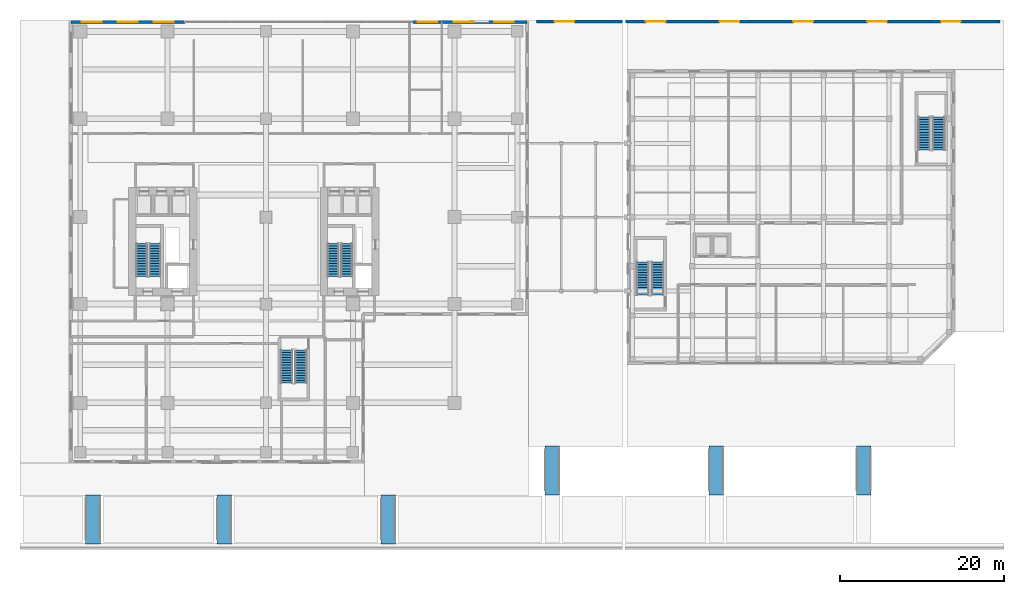
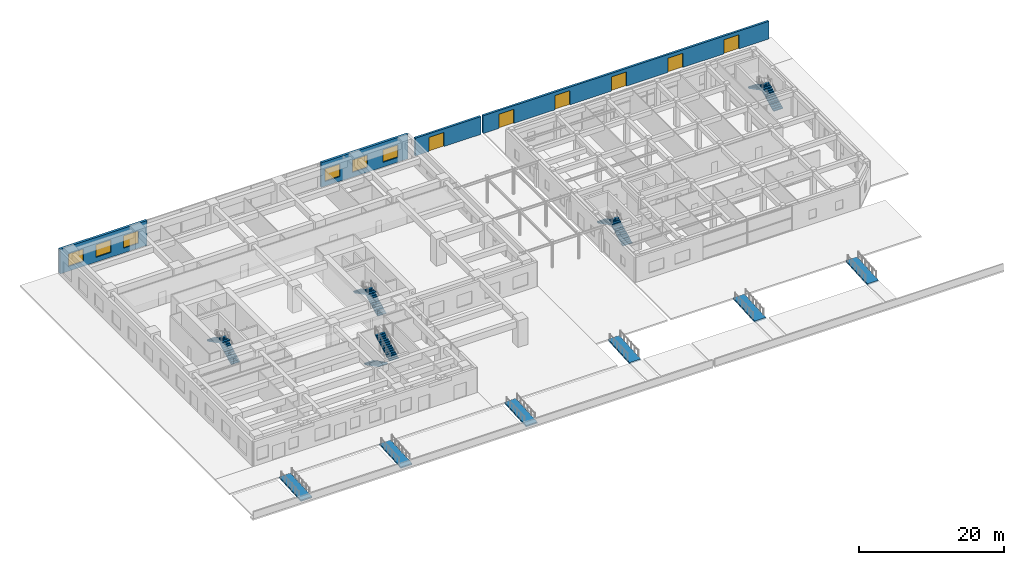
# One storey, part 29 of 39: 10 stair flights, 6 doors, 6 ramp flights, 6 windows, 4 walls, 12 openings, 11 elements without a shape of their own.
"""IFC4 building model written with IfcOpenShell, lengths in metres."""

from ifc_helpers import new_model, si_unit, direction, frame, frame_2d, origin, place, context, subcontext, project, spatial, polyline, rectangle, outline, extrude, source, transform, mapped, material, layer, layer_set, type_object, element, fill, aggregate, save


model = new_model("IFC4")

# Units and contexts
model_context = context("Model", 3, precision=1e-05, world=origin(), true_north=direction((0.0, 1.0)))
body_context = subcontext(model_context, "Body", "Model", "MODEL_VIEW")
ifc_project = project(units=[si_unit("LENGTHUNIT", "METRE"), si_unit("AREAUNIT", "SQUARE_METRE"), si_unit("VOLUMEUNIT", "CUBIC_METRE"), si_unit("PLANEANGLEUNIT", "RADIAN"), si_unit("MASSUNIT", "GRAM", prefix="KILO")], contexts=[model_context])

# Site, building, storey
site_placement = place(None, origin())
site = spatial("IfcSite", under=ifc_project, at=site_placement, CompositionType="ELEMENT")
building_placement = place(site_placement, origin())
building = spatial("IfcBuilding", under=site, at=building_placement, Name="Khoralis Quay Care Tower", CompositionType="ELEMENT")
storey_placement = place(building_placement, origin())
storey = spatial("IfcBuildingStorey", under=building, at=storey_placement, Name="L00", CompositionType="ELEMENT", Elevation=0.0)

# Wall, openings, windows
ifc_material_1 = material(Name="Precast concrete C45/55", Category="concrete")
ifc_layer_1 = layer(ifc_material_1, 0.3798828125)
ifc_layer_set_1 = layer_set([ifc_layer_1], Name="Precast concrete C45/55")
wall_type_1 = type_object("IfcWallType", Name="WL-EXT-POD-380", PredefinedType="SOLIDWALL", material=ifc_layer_set_1)
wall_1_placement = place(storey_placement, frame((55.81005859375, 47.81005859375, 0.0), z_axis=(0.0, 0.0, 1.0), x_axis=(-1.0, 0.0, 0.0)))
wall_1 = element("IfcWall", 1, at=wall_1_placement, inside=storey, type_object=wall_type_1, Name="L00 External Facade Wall WL-POD-L00-E4A", PredefinedType="SOLIDWALL", context=body_context, shape_type="SweptSolid", body=[
    extrude(rectangle(XDim=13.905029296875, YDim=0.3798828125, at=frame_2d((6.95263671875, 0.0))), origin(), (0.0, 0.0, 1.0), 4.159912109375),
])
opening_1_placement = place(wall_1_placement, frame((1.6025390625, 0.0, 0.800048828125)))
opening_1 = element("IfcOpeningElement", 2, at=opening_1_placement, cuts=wall_1, Name="Opening W1", PredefinedType="OPENING", context=body_context, shape_type="SweptSolid", body=[
    extrude(rectangle(XDim=2.39990234375, YDim=2.10009765625, at=frame_2d((1.199951171875, 1.050048828125))), frame((0.0, 0.199951171875, 0.0), z_axis=(0.0, -1.0, 0.0), x_axis=(1.0, 0.0, 0.0)), (0.0, 0.0, 1.0), 0.39990234375),
])
opening_2_placement = place(wall_1_placement, frame((6.487548828125, 0.0, 0.800048828125)))
opening_2 = element("IfcOpeningElement", 3, at=opening_2_placement, cuts=wall_1, Name="Opening W1", PredefinedType="OPENING", context=body_context, shape_type="SweptSolid", body=[
    extrude(rectangle(XDim=2.39990234375, YDim=2.10009765625, at=frame_2d((1.199951171875, 1.050048828125))), frame((0.0, 0.199951171875, 0.0), z_axis=(0.0, -1.0, 0.0), x_axis=(1.0, 0.0, 0.0)), (0.0, 0.0, 1.0), 0.39990234375),
])
opening_3_placement = place(wall_1_placement, frame((10.8974609375, 0.0, 0.800048828125)))
opening_3 = element("IfcOpeningElement", 4, at=opening_3_placement, cuts=wall_1, Name="Opening W1", PredefinedType="OPENING", context=body_context, shape_type="SweptSolid", body=[
    extrude(rectangle(XDim=2.39990234375, YDim=2.10009765625, at=frame_2d((1.199951171875, 1.050048828125))), frame((0.0, 0.199951171875, 0.0), z_axis=(0.0, -1.0, 0.0), x_axis=(1.0, 0.0, 0.0)), (0.0, 0.0, 1.0), 0.39990234375),
])
ifc_material_2 = material(Name="Low-E solar-control double glazing", Category="glass")
window_type = type_object("IfcWindowType", Name="WN-POD-2400X2100", PartitioningType="SINGLE_PANEL", PredefinedType="WINDOW", material=ifc_material_2)
shared_shape_1 = source(origin(), body_context, "Body", "SweptSolid", [
    extrude(rectangle(XDim=2.39990234375, YDim=2.10009765625, at=frame_2d((1.199951171875, 1.050048828125))), frame((0.0, 0.030029296875, 0.0), z_axis=(0.0, -1.0, 0.0), x_axis=(1.0, 0.0, 0.0)), (0.0, 0.0, 1.0), 0.06005859375),
])
window_1_placement = place(opening_1_placement, origin())
window_1 = element("IfcWindow", 5, at=window_1_placement, inside=storey, type_object=window_type, Name="WN-POD-L00-4A Facade Window 01", OverallHeight=2.10009765625, OverallWidth=2.39990234375, PartitioningType="SINGLE_PANEL", PredefinedType="WINDOW", context=body_context, shape_type="MappedRepresentation", body=[
    mapped(shared_shape_1, transform((0.0, 0.0, 0.0), scale=1.0)),
])
fill(opening_1, window_1)
window_2_placement = place(opening_2_placement, origin())
window_2 = element("IfcWindow", 6, at=window_2_placement, inside=storey, type_object=window_type, Name="WN-POD-L00-4A Facade Window 02", OverallHeight=2.10009765625, OverallWidth=2.39990234375, PartitioningType="SINGLE_PANEL", PredefinedType="WINDOW", context=body_context, shape_type="MappedRepresentation", body=[
    mapped(shared_shape_1, transform((0.0, 0.0, 0.0), scale=1.0)),
])
fill(opening_2, window_2)
window_3_placement = place(opening_3_placement, origin())
window_3 = element("IfcWindow", 7, at=window_3_placement, inside=storey, type_object=window_type, Name="WN-POD-L00-4A Facade Window 03", OverallHeight=2.10009765625, OverallWidth=2.39990234375, PartitioningType="SINGLE_PANEL", PredefinedType="WINDOW", context=body_context, shape_type="MappedRepresentation", body=[
    mapped(shared_shape_1, transform((0.0, 0.0, 0.0), scale=1.0)),
])
fill(opening_3, window_3)

wall_2_placement = place(storey_placement, frame((14.094970703125, 47.81005859375, 0.0), z_axis=(0.0, 0.0, 1.0), x_axis=(-1.0, 0.0, 0.0)))
wall_2 = element("IfcWall", 8, at=wall_2_placement, inside=storey, type_object=wall_type_1, Name="L00 External Facade Wall WL-POD-L00-E4B", PredefinedType="SOLIDWALL", context=body_context, shape_type="SweptSolid", body=[
    extrude(rectangle(XDim=13.905029296875, YDim=0.3798828125, at=frame_2d((6.95263671875, 0.0))), origin(), (0.0, 0.0, 1.0), 4.159912109375),
])
opening_4_placement = place(wall_2_placement, frame((1.357421875, 0.0, 0.800048828125)))
opening_4 = element("IfcOpeningElement", 9, at=opening_4_placement, cuts=wall_2, Name="Opening W1", PredefinedType="OPENING", context=body_context, shape_type="SweptSolid", body=[
    extrude(rectangle(XDim=2.39990234375, YDim=2.10009765625, at=frame_2d((1.199951171875, 1.050048828125))), frame((0.0, 0.199951171875, 0.0), z_axis=(0.0, -1.0, 0.0), x_axis=(1.0, 0.0, 0.0)), (0.0, 0.0, 1.0), 0.39990234375),
])
opening_5_placement = place(wall_2_placement, frame((5.75244140625, 0.0, 0.800048828125)))
opening_5 = element("IfcOpeningElement", 10, at=opening_5_placement, cuts=wall_2, Name="Opening W1", PredefinedType="OPENING", context=body_context, shape_type="SweptSolid", body=[
    extrude(rectangle(XDim=2.39990234375, YDim=2.10009765625, at=frame_2d((1.199951171875, 1.050048828125))), frame((0.0, 0.199951171875, 0.0), z_axis=(0.0, -1.0, 0.0), x_axis=(1.0, 0.0, 0.0)), (0.0, 0.0, 1.0), 0.39990234375),
])
opening_6_placement = place(wall_2_placement, frame((10.1474609375, 0.0, 0.800048828125)))
opening_6 = element("IfcOpeningElement", 11, at=opening_6_placement, cuts=wall_2, Name="Opening W1", PredefinedType="OPENING", context=body_context, shape_type="SweptSolid", body=[
    extrude(rectangle(XDim=2.39990234375, YDim=2.10009765625, at=frame_2d((1.199951171875, 1.050048828125))), frame((0.0, 0.199951171875, 0.0), z_axis=(0.0, -1.0, 0.0), x_axis=(1.0, 0.0, 0.0)), (0.0, 0.0, 1.0), 0.39990234375),
])
window_4_placement = place(opening_4_placement, origin())
window_4 = element("IfcWindow", 12, at=window_4_placement, inside=storey, type_object=window_type, Name="WN-POD-L00-4B Facade Window 01", OverallHeight=2.10009765625, OverallWidth=2.39990234375, PartitioningType="SINGLE_PANEL", PredefinedType="WINDOW", context=body_context, shape_type="MappedRepresentation", body=[
    mapped(shared_shape_1, transform((0.0, 0.0, 0.0), scale=1.0)),
])
fill(opening_4, window_4)
window_5_placement = place(opening_5_placement, origin())
window_5 = element("IfcWindow", 13, at=window_5_placement, inside=storey, type_object=window_type, Name="WN-POD-L00-4B Facade Window 02", OverallHeight=2.10009765625, OverallWidth=2.39990234375, PartitioningType="SINGLE_PANEL", PredefinedType="WINDOW", context=body_context, shape_type="MappedRepresentation", body=[
    mapped(shared_shape_1, transform((0.0, 0.0, 0.0), scale=1.0)),
])
fill(opening_5, window_5)
window_6_placement = place(opening_6_placement, origin())
window_6 = element("IfcWindow", 14, at=window_6_placement, inside=storey, type_object=window_type, Name="WN-POD-L00-4B Facade Window 03", OverallHeight=2.10009765625, OverallWidth=2.39990234375, PartitioningType="SINGLE_PANEL", PredefinedType="WINDOW", context=body_context, shape_type="MappedRepresentation", body=[
    mapped(shared_shape_1, transform((0.0, 0.0, 0.0), scale=1.0)),
])
fill(opening_6, window_6)

# Wall, opening, door
ifc_material_3 = material(Name="Precast concrete C40/50", Category="concrete")
ifc_layer_2 = layer(ifc_material_3, 0.340087890625)
ifc_layer_set_2 = layer_set([ifc_layer_2], Name="Precast concrete C40/50")
wall_type_2 = type_object("IfcWallType", Name="WL-EXT-SCH-340", PredefinedType="SOLIDWALL", material=ifc_layer_set_2)
wall_3_placement = place(storey_placement, frame((57.0, 47.85009765625, 0.0), z_axis=(0.0, 0.0, 1.0), x_axis=(1.0, 0.0, 0.0)))
wall_3 = element("IfcWall", 15, at=wall_3_placement, inside=storey, type_object=wall_type_2, Name="L00 External Facade Wall WL-QUAY-COURT-NW", PredefinedType="SOLIDWALL", context=body_context, shape_type="SweptSolid", body=[
    extrude(rectangle(XDim=10.47509765625, YDim=0.340087890625, at=frame_2d((5.237548828125, 0.0))), origin(), (0.0, 0.0, 1.0), 3.0),
])
opening_7_placement = place(wall_3_placement, frame((2.199951171875, 0.0, 0.0)))
opening_7 = element("IfcOpeningElement", 16, at=opening_7_placement, cuts=wall_3, Name="Opening GT1", PredefinedType="OPENING", context=body_context, shape_type="SweptSolid", body=[
    extrude(rectangle(XDim=2.39990234375, YDim=2.39990234375, at=frame_2d((1.199951171875, 1.199951171875))), frame((0.0, 0.18017578125, 0.0), z_axis=(0.0, -1.0, 0.0), x_axis=(1.0, 0.0, 0.0)), (0.0, 0.0, 1.0), 0.360107421875),
])
ifc_material_4 = material(Name="Brushed pale anodised aluminium", Category="aluminium")
door_type = type_object("IfcDoorType", Name="DR-GATE-2400X2400", OperationType="NOTDEFINED", PredefinedType="GATE", material=ifc_material_4)
shared_shape_2 = source(origin(), body_context, "Body", "SweptSolid", [
    extrude(rectangle(XDim=2.39990234375, YDim=2.39990234375, at=frame_2d((1.199951171875, 1.199951171875))), frame((0.0, 0.02490234375, 0.0), z_axis=(0.0, -1.0, 0.0), x_axis=(1.0, 0.0, 0.0)), (0.0, 0.0, 1.0), 0.050048828125),
])
door_1_placement = place(opening_7_placement, origin())
door_1 = element("IfcDoor", 17, at=door_1_placement, inside=storey, type_object=door_type, Name="Academy & Quay Courtyard Gate 1", OperationType="DOUBLE_DOOR_SINGLE_SWING", OverallHeight=2.39990234375, OverallWidth=2.39990234375, PredefinedType="GATE", context=body_context, shape_type="MappedRepresentation", body=[
    mapped(shared_shape_2, transform((0.0, 0.0, 0.0), scale=1.0)),
])
fill(opening_7, door_1)

# Wall, openings, doors
wall_4_placement = place(storey_placement, frame((67.824951171875, 47.85009765625, 0.0), z_axis=(0.0, 0.0, 1.0), x_axis=(1.0, 0.0, 0.0)))
wall_4 = element("IfcWall", 18, at=wall_4_placement, inside=storey, type_object=wall_type_2, Name="L00 External Facade Wall WL-QUAY-COURT-NE", PredefinedType="SOLIDWALL", context=body_context, shape_type="SweptSolid", body=[
    extrude(rectangle(XDim=45.675048828125, YDim=0.340087890625, at=frame_2d((22.83740234375, 0.0))), origin(), (0.0, 0.0, 1.0), 3.0),
])
opening_8_placement = place(wall_4_placement, frame((2.5, 0.0, 0.0)))
opening_8 = element("IfcOpeningElement", 19, at=opening_8_placement, cuts=wall_4, Name="Opening GT1", PredefinedType="OPENING", context=body_context, shape_type="SweptSolid", body=[
    extrude(rectangle(XDim=2.39990234375, YDim=2.39990234375, at=frame_2d((1.199951171875, 1.199951171875))), frame((0.0, 0.18017578125, 0.0), z_axis=(0.0, -1.0, 0.0), x_axis=(1.0, 0.0, 0.0)), (0.0, 0.0, 1.0), 0.360107421875),
])
opening_9_placement = place(wall_4_placement, frame((11.5, 0.0, 0.0)))
opening_9 = element("IfcOpeningElement", 20, at=opening_9_placement, cuts=wall_4, Name="Opening GT1", PredefinedType="OPENING", context=body_context, shape_type="SweptSolid", body=[
    extrude(rectangle(XDim=2.39990234375, YDim=2.39990234375, at=frame_2d((1.199951171875, 1.199951171875))), frame((0.0, 0.18017578125, 0.0), z_axis=(0.0, -1.0, 0.0), x_axis=(1.0, 0.0, 0.0)), (0.0, 0.0, 1.0), 0.360107421875),
])
opening_10_placement = place(wall_4_placement, frame((20.5, 0.0, 0.0)))
opening_10 = element("IfcOpeningElement", 21, at=opening_10_placement, cuts=wall_4, Name="Opening GT1", PredefinedType="OPENING", context=body_context, shape_type="SweptSolid", body=[
    extrude(rectangle(XDim=2.39990234375, YDim=2.39990234375, at=frame_2d((1.199951171875, 1.199951171875))), frame((0.0, 0.18017578125, 0.0), z_axis=(0.0, -1.0, 0.0), x_axis=(1.0, 0.0, 0.0)), (0.0, 0.0, 1.0), 0.360107421875),
])
opening_11_placement = place(wall_4_placement, frame((29.5, 0.0, 0.0)))
opening_11 = element("IfcOpeningElement", 22, at=opening_11_placement, cuts=wall_4, Name="Opening GT1", PredefinedType="OPENING", context=body_context, shape_type="SweptSolid", body=[
    extrude(rectangle(XDim=2.39990234375, YDim=2.39990234375, at=frame_2d((1.199951171875, 1.199951171875))), frame((0.0, 0.18017578125, 0.0), z_axis=(0.0, -1.0, 0.0), x_axis=(1.0, 0.0, 0.0)), (0.0, 0.0, 1.0), 0.360107421875),
])
opening_12_placement = place(wall_4_placement, frame((38.5, 0.0, 0.0)))
opening_12 = element("IfcOpeningElement", 23, at=opening_12_placement, cuts=wall_4, Name="Opening GT1", PredefinedType="OPENING", context=body_context, shape_type="SweptSolid", body=[
    extrude(rectangle(XDim=2.39990234375, YDim=2.39990234375, at=frame_2d((1.199951171875, 1.199951171875))), frame((0.0, 0.18017578125, 0.0), z_axis=(0.0, -1.0, 0.0), x_axis=(1.0, 0.0, 0.0)), (0.0, 0.0, 1.0), 0.360107421875),
])
door_2_placement = place(opening_8_placement, origin())
door_2 = element("IfcDoor", 24, at=door_2_placement, inside=storey, type_object=door_type, Name="Academy & Quay Courtyard Gate 2", OperationType="DOUBLE_DOOR_SINGLE_SWING", OverallHeight=2.39990234375, OverallWidth=2.39990234375, PredefinedType="GATE", context=body_context, shape_type="MappedRepresentation", body=[
    mapped(shared_shape_2, transform((0.0, 0.0, 0.0), scale=1.0)),
])
fill(opening_8, door_2)
door_3_placement = place(opening_9_placement, origin())
door_3 = element("IfcDoor", 25, at=door_3_placement, inside=storey, type_object=door_type, Name="Academy & Quay Courtyard Gate 3", OperationType="DOUBLE_DOOR_SINGLE_SWING", OverallHeight=2.39990234375, OverallWidth=2.39990234375, PredefinedType="GATE", context=body_context, shape_type="MappedRepresentation", body=[
    mapped(shared_shape_2, transform((0.0, 0.0, 0.0), scale=1.0)),
])
fill(opening_9, door_3)
door_4_placement = place(opening_10_placement, origin())
door_4 = element("IfcDoor", 26, at=door_4_placement, inside=storey, type_object=door_type, Name="Academy & Quay Courtyard Gate 4", OperationType="DOUBLE_DOOR_SINGLE_SWING", OverallHeight=2.39990234375, OverallWidth=2.39990234375, PredefinedType="GATE", context=body_context, shape_type="MappedRepresentation", body=[
    mapped(shared_shape_2, transform((0.0, 0.0, 0.0), scale=1.0)),
])
fill(opening_10, door_4)
door_5_placement = place(opening_11_placement, origin())
door_5 = element("IfcDoor", 27, at=door_5_placement, inside=storey, type_object=door_type, Name="Academy & Quay Courtyard Gate 5", OperationType="DOUBLE_DOOR_SINGLE_SWING", OverallHeight=2.39990234375, OverallWidth=2.39990234375, PredefinedType="GATE", context=body_context, shape_type="MappedRepresentation", body=[
    mapped(shared_shape_2, transform((0.0, 0.0, 0.0), scale=1.0)),
])
fill(opening_11, door_5)
door_6_placement = place(opening_12_placement, origin())
door_6 = element("IfcDoor", 28, at=door_6_placement, inside=storey, type_object=door_type, Name="Academy & Quay Courtyard Gate 6", OperationType="DOUBLE_DOOR_SINGLE_SWING", OverallHeight=2.39990234375, OverallWidth=2.39990234375, PredefinedType="GATE", context=body_context, shape_type="MappedRepresentation", body=[
    mapped(shared_shape_2, transform((0.0, 0.0, 0.0), scale=1.0)),
])
fill(opening_12, door_6)

# Stair, stair flights
stair_type_1 = type_object("IfcStairType", Name="ST-TWR-DOGLEG-1400", PredefinedType="HALF_TURN_STAIR", material=ifc_material_1)
stair_1_placement = place(storey_placement, origin())
stair_1 = element("IfcStair", 29, at=stair_1_placement, inside=storey, type_object=stair_type_1, Name="L00 West Core Exit Stair ST-T1", PredefinedType="HALF_TURN_STAIR")
stair_flight_type_1 = type_object("IfcStairFlightType", Name="SF-TWR-1400", PredefinedType="STRAIGHT", material=ifc_material_1)
shared_shape_3 = source(origin(), body_context, "Body", "SweptSolid", [
    extrude(outline(polyline([(0.0, 0.0), (0.0, 0.16064453125), (0.31005859375, 0.16064453125), (0.31005859375, 0.321533203125), (0.6201171875, 0.321533203125), (0.6201171875, 0.482177734375), (0.929931640625, 0.482177734375), (0.929931640625, 0.642822265625), (1.239990234375, 0.642822265625), (1.239990234375, 0.803466796875), (1.550048828125, 0.803466796875), (1.550048828125, 0.96435546875), (1.860107421875, 0.96435546875), (1.860107421875, 1.125), (2.169921875, 1.125), (2.169921875, 1.28564453125), (2.47998046875, 1.28564453125), (2.47998046875, 1.446533203125), (2.7900390625, 1.446533203125), (2.7900390625, 1.607177734375), (3.10009765625, 1.607177734375), (3.10009765625, 1.767822265625), (3.409912109375, 1.767822265625), (3.409912109375, 1.928466796875), (3.719970703125, 1.928466796875), (3.719970703125, 2.08935546875), (4.030029296875, 2.08935546875), (4.030029296875, 2.25), (4.030029296875, 1.92041015625), (0.32568359375, 0.0), (0.0, 0.0)])), frame((0.0, 0.68994140625, 0.0), z_axis=(0.0, -1.0, 0.0), x_axis=(1.0, 0.0, 0.0)), (0.0, 0.0, 1.0), 1.3798828125),
])
stair_flight_1_placement = place(storey_placement, frame((10.4599609375, 16.77001953125, 0.0), z_axis=(0.0, 0.0, 1.0), x_axis=(0.0, 1.0, 0.0)))
stair_flight_1 = element("IfcStairFlight", 30, at=stair_flight_1_placement, type_object=stair_flight_type_1, Name="ST-T1 flight 1", NumberOfRisers=14, NumberOfTreads=13, PredefinedType="STRAIGHT", RiserHeight=0.160714286, TreadLength=0.31, context=body_context, shape_type="MappedRepresentation", body=[
    mapped(shared_shape_3, transform((0.0, 0.0, 0.0), scale=1.0)),
])
stair_flight_2_placement = place(storey_placement, frame((8.840087890625, 20.800048828125, 2.25), z_axis=(0.0, 0.0, 1.0), x_axis=(0.0, -1.0, 0.0)))
stair_flight_2 = element("IfcStairFlight", 31, at=stair_flight_2_placement, type_object=stair_flight_type_1, Name="ST-T1 flight 2", NumberOfRisers=14, NumberOfTreads=13, PredefinedType="STRAIGHT", RiserHeight=0.160714286, TreadLength=0.31, context=body_context, shape_type="MappedRepresentation", body=[
    mapped(shared_shape_3, transform((0.0, 0.0, 0.0), scale=1.0)),
])
aggregate(stair_1, [stair_flight_1, stair_flight_2])

stair_2_placement = place(storey_placement, origin())
stair_2 = element("IfcStair", 32, at=stair_2_placement, inside=storey, type_object=stair_type_1, Name="L00 East Core Exit Stair ST-T2", PredefinedType="HALF_TURN_STAIR")
stair_flight_3_placement = place(storey_placement, frame((33.830078125, 16.77001953125, 0.0), z_axis=(0.0, 0.0, 1.0), x_axis=(0.0, 1.0, 0.0)))
stair_flight_3 = element("IfcStairFlight", 33, at=stair_flight_3_placement, type_object=stair_flight_type_1, Name="ST-T2 flight 1", NumberOfRisers=14, NumberOfTreads=13, PredefinedType="STRAIGHT", RiserHeight=0.160714286, TreadLength=0.31, context=body_context, shape_type="MappedRepresentation", body=[
    mapped(shared_shape_3, transform((0.0, 0.0, 0.0), scale=1.0)),
])
stair_flight_4_placement = place(storey_placement, frame((32.2099609375, 20.800048828125, 2.25), z_axis=(0.0, 0.0, 1.0), x_axis=(0.0, -1.0, 0.0)))
stair_flight_4 = element("IfcStairFlight", 34, at=stair_flight_4_placement, type_object=stair_flight_type_1, Name="ST-T2 flight 2", NumberOfRisers=14, NumberOfTreads=13, PredefinedType="STRAIGHT", RiserHeight=0.160714286, TreadLength=0.31, context=body_context, shape_type="MappedRepresentation", body=[
    mapped(shared_shape_3, transform((0.0, 0.0, 0.0), scale=1.0)),
])
aggregate(stair_2, [stair_flight_3, stair_flight_4])

stair_type_2 = type_object("IfcStairType", Name="ST-POD-DOGLEG-1500", PredefinedType="HALF_TURN_STAIR", material=ifc_material_1)
stair_3_placement = place(storey_placement, origin())
stair_3 = element("IfcStair", 35, at=stair_3_placement, inside=storey, type_object=stair_type_2, Name="L00 Podium Clinical Stair ST-P1", PredefinedType="HALF_TURN_STAIR")
stair_flight_type_2 = type_object("IfcStairFlightType", Name="SF-POD-1500", PredefinedType="STRAIGHT", material=ifc_material_1)
shared_shape_4 = source(origin(), body_context, "Body", "SweptSolid", [
    extrude(outline(polyline([(0.0, 0.0), (0.0, 0.16064453125), (0.31005859375, 0.16064453125), (0.31005859375, 0.321533203125), (0.6201171875, 0.321533203125), (0.6201171875, 0.482177734375), (0.929931640625, 0.482177734375), (0.929931640625, 0.642822265625), (1.239990234375, 0.642822265625), (1.239990234375, 0.803466796875), (1.550048828125, 0.803466796875), (1.550048828125, 0.96435546875), (1.860107421875, 0.96435546875), (1.860107421875, 1.125), (2.169921875, 1.125), (2.169921875, 1.28564453125), (2.47998046875, 1.28564453125), (2.47998046875, 1.446533203125), (2.7900390625, 1.446533203125), (2.7900390625, 1.607177734375), (3.10009765625, 1.607177734375), (3.10009765625, 1.767822265625), (3.409912109375, 1.767822265625), (3.409912109375, 1.928466796875), (3.719970703125, 1.928466796875), (3.719970703125, 2.08935546875), (4.030029296875, 2.08935546875), (4.030029296875, 2.25), (4.030029296875, 1.92041015625), (0.32568359375, 0.0), (0.0, 0.0)])), frame((0.0, 0.72509765625, 0.0), z_axis=(0.0, -1.0, 0.0), x_axis=(1.0, 0.0, 0.0)), (0.0, 0.0, 1.0), 1.449951171875),
])
stair_flight_5_placement = place(storey_placement, frame((26.52490234375, 7.800048828125, 0.0), z_axis=(0.0, 0.0, 1.0), x_axis=(0.0, -1.0, 0.0)))
stair_flight_5 = element("IfcStairFlight", 36, at=stair_flight_5_placement, type_object=stair_flight_type_2, Name="ST-P1 flight 1", NumberOfRisers=14, NumberOfTreads=13, PredefinedType="STRAIGHT", RiserHeight=0.160714286, TreadLength=0.31, context=body_context, shape_type="MappedRepresentation", body=[
    mapped(shared_shape_4, transform((0.0, 0.0, 0.0), scale=1.0)),
])
stair_flight_6_placement = place(storey_placement, frame((28.27490234375, 3.77001953125, 2.25), z_axis=(0.0, 0.0, 1.0), x_axis=(0.0, 1.0, 0.0)))
stair_flight_6 = element("IfcStairFlight", 37, at=stair_flight_6_placement, type_object=stair_flight_type_2, Name="ST-P1 flight 2", NumberOfRisers=14, NumberOfTreads=13, PredefinedType="STRAIGHT", RiserHeight=0.160714286, TreadLength=0.31, context=body_context, shape_type="MappedRepresentation", body=[
    mapped(shared_shape_4, transform((0.0, 0.0, 0.0), scale=1.0)),
])
aggregate(stair_3, [stair_flight_5, stair_flight_6])

stair_type_3 = type_object("IfcStairType", Name="ST-SCH-DOGLEG-1550", PredefinedType="HALF_TURN_STAIR", material=ifc_material_1)
stair_4_placement = place(storey_placement, origin())
stair_4 = element("IfcStair", 38, at=stair_4_placement, inside=storey, type_object=stair_type_3, Name="L00 Companion School West Exit Stair ST-S1", PredefinedType="HALF_TURN_STAIR")
stair_flight_type_3 = type_object("IfcStairFlightType", Name="SF-SCH-1550", PredefinedType="STRAIGHT", material=ifc_material_1)
shared_shape_5 = source(origin(), body_context, "Body", "SweptSolid", [
    extrude(outline(polyline([(0.0, 0.0), (0.0, 0.16064453125), (0.31005859375, 0.16064453125), (0.31005859375, 0.321533203125), (0.6201171875, 0.321533203125), (0.6201171875, 0.482177734375), (0.929931640625, 0.482177734375), (0.929931640625, 0.642822265625), (1.239990234375, 0.642822265625), (1.239990234375, 0.803466796875), (1.550048828125, 0.803466796875), (1.550048828125, 0.96435546875), (1.860107421875, 0.96435546875), (1.860107421875, 1.125), (2.169921875, 1.125), (2.169921875, 1.28564453125), (2.47998046875, 1.28564453125), (2.47998046875, 1.446533203125), (2.7900390625, 1.446533203125), (2.7900390625, 1.607177734375), (3.10009765625, 1.607177734375), (3.10009765625, 1.767822265625), (3.409912109375, 1.767822265625), (3.409912109375, 1.928466796875), (3.719970703125, 1.928466796875), (3.719970703125, 2.08935546875), (4.030029296875, 2.08935546875), (4.030029296875, 2.25), (4.030029296875, 1.92041015625), (0.32568359375, 0.0), (0.0, 0.0)])), frame((0.0, 0.75, 0.0), z_axis=(0.0, -1.0, 0.0), x_axis=(1.0, 0.0, 0.0)), (0.0, 0.0, 1.0), 1.5),
])
stair_flight_7_placement = place(storey_placement, frame((71.75, 14.47998046875, 0.0), z_axis=(0.0, 0.0, 1.0), x_axis=(0.0, 1.0, 0.0)))
stair_flight_7 = element("IfcStairFlight", 39, at=stair_flight_7_placement, type_object=stair_flight_type_3, Name="ST-S1 flight 1", NumberOfRisers=14, NumberOfTreads=13, PredefinedType="STRAIGHT", RiserHeight=0.160714286, TreadLength=0.31, context=body_context, shape_type="MappedRepresentation", body=[
    mapped(shared_shape_5, transform((0.0, 0.0, 0.0), scale=1.0)),
])
stair_flight_8_placement = place(storey_placement, frame((69.949951171875, 18.510009765625, 2.25), z_axis=(0.0, 0.0, 1.0), x_axis=(0.0, -1.0, 0.0)))
stair_flight_8 = element("IfcStairFlight", 40, at=stair_flight_8_placement, type_object=stair_flight_type_3, Name="ST-S1 flight 2", NumberOfRisers=14, NumberOfTreads=13, PredefinedType="STRAIGHT", RiserHeight=0.160714286, TreadLength=0.31, context=body_context, shape_type="MappedRepresentation", body=[
    mapped(shared_shape_5, transform((0.0, 0.0, 0.0), scale=1.0)),
])
aggregate(stair_4, [stair_flight_7, stair_flight_8])

stair_5_placement = place(storey_placement, origin())
stair_5 = element("IfcStair", 41, at=stair_5_placement, inside=storey, type_object=stair_type_3, Name="L00 Companion School East Exit Stair ST-S2", PredefinedType="HALF_TURN_STAIR")
stair_flight_9_placement = place(storey_placement, frame((106.050048828125, 32.179931640625, 0.0), z_axis=(0.0, 0.0, 1.0), x_axis=(0.0, 1.0, 0.0)))
stair_flight_9 = element("IfcStairFlight", 42, at=stair_flight_9_placement, type_object=stair_flight_type_3, Name="ST-S2 flight 1", NumberOfRisers=14, NumberOfTreads=13, PredefinedType="STRAIGHT", RiserHeight=0.160714286, TreadLength=0.31, context=body_context, shape_type="MappedRepresentation", body=[
    mapped(shared_shape_5, transform((0.0, 0.0, 0.0), scale=1.0)),
])
stair_flight_10_placement = place(storey_placement, frame((104.25, 36.2099609375, 2.25), z_axis=(0.0, 0.0, 1.0), x_axis=(0.0, -1.0, 0.0)))
stair_flight_10 = element("IfcStairFlight", 43, at=stair_flight_10_placement, type_object=stair_flight_type_3, Name="ST-S2 flight 2", NumberOfRisers=14, NumberOfTreads=13, PredefinedType="STRAIGHT", RiserHeight=0.160714286, TreadLength=0.31, context=body_context, shape_type="MappedRepresentation", body=[
    mapped(shared_shape_5, transform((0.0, 0.0, 0.0), scale=1.0)),
])
aggregate(stair_5, [stair_flight_9, stair_flight_10])

# Ramp, ramp flight
ifc_material_5 = material(Name="Concrete C40/50", Category="concrete")
ramp_type = type_object("IfcRampType", Name="RMP-QUAY-1800", PredefinedType="STRAIGHT_RUN_RAMP", material=ifc_material_5)
ramp_1_placement = place(storey_placement, origin())
ramp_1 = element("IfcRamp", 44, at=ramp_1_placement, inside=storey, type_object=ramp_type, Name="Waterfront Promenade Step-Free Ramp 1", PredefinedType="STRAIGHT_RUN_RAMP")
ifc_layer_3 = layer(ifc_material_5, 0.219970703125)
ifc_layer_set_3 = layer_set([ifc_layer_3], Name="Concrete C40/50")
ramp_flight_type = type_object("IfcRampFlightType", Name="RMF-QUAY-1800", PredefinedType="STRAIGHT", material=ifc_layer_set_3)
ramp_flight_1_placement = place(storey_placement, frame((2.0, -15.860107421875, -0.360107421875), z_axis=(0.0, -0.060308654011, 0.998179776519), x_axis=(1.0, 0.0, 0.0)))
ramp_flight_1 = element("IfcRampFlight", 45, at=ramp_flight_1_placement, type_object=ramp_flight_type, Name="Waterfront Ramp Flight 1", PredefinedType="STRAIGHT", context=body_context, shape_type="SweptSolid", body=[
    extrude(outline(polyline([(0.0, 0.0), (1.800048828125, 0.0), (1.800048828125, 5.9710737668024585), (0.0, 5.9710737668024585), (0.0, 0.0)])), origin(), (0.0, 0.0, -1.0), 0.25),
])
aggregate(ramp_1, [ramp_flight_1])

ramp_2_placement = place(storey_placement, origin())
ramp_2 = element("IfcRamp", 46, at=ramp_2_placement, inside=storey, type_object=ramp_type, Name="Waterfront Promenade Step-Free Ramp 2", PredefinedType="STRAIGHT_RUN_RAMP")
ramp_flight_2_placement = place(storey_placement, frame((18.0, -15.860107421875, -0.360107421875), z_axis=(0.0, -0.060308654011, 0.998179776519), x_axis=(1.0, 0.0, 0.0)))
ramp_flight_2 = element("IfcRampFlight", 47, at=ramp_flight_2_placement, type_object=ramp_flight_type, Name="Waterfront Ramp Flight 2", PredefinedType="STRAIGHT", context=body_context, shape_type="SweptSolid", body=[
    extrude(outline(polyline([(0.0, 0.0), (1.800048828125, 0.0), (1.800048828125, 5.9710737668024585), (0.0, 5.9710737668024585), (0.0, 0.0)])), origin(), (0.0, 0.0, -1.0), 0.25),
])
aggregate(ramp_2, [ramp_flight_2])

ramp_3_placement = place(storey_placement, origin())
ramp_3 = element("IfcRamp", 48, at=ramp_3_placement, inside=storey, type_object=ramp_type, Name="Waterfront Promenade Step-Free Ramp 3", PredefinedType="STRAIGHT_RUN_RAMP")
ramp_flight_3_placement = place(storey_placement, frame((38.0, -15.860107421875, -0.360107421875), z_axis=(0.0, -0.060308654011, 0.998179776519), x_axis=(1.0, 0.0, 0.0)))
ramp_flight_3 = element("IfcRampFlight", 49, at=ramp_flight_3_placement, type_object=ramp_flight_type, Name="Waterfront Ramp Flight 3", PredefinedType="STRAIGHT", context=body_context, shape_type="SweptSolid", body=[
    extrude(outline(polyline([(0.0, 0.0), (1.800048828125, 0.0), (1.800048828125, 5.9710737668024585), (0.0, 5.9710737668024585), (0.0, 0.0)])), origin(), (0.0, 0.0, -1.0), 0.25),
])
aggregate(ramp_3, [ramp_flight_3])

ramp_4_placement = place(storey_placement, origin())
ramp_4 = element("IfcRamp", 50, at=ramp_4_placement, inside=storey, type_object=ramp_type, Name="Waterfront Promenade Step-Free Ramp 4", PredefinedType="STRAIGHT_RUN_RAMP")
ramp_flight_4_placement = place(storey_placement, frame((58.0, -9.860107421875, -0.360107421875), z_axis=(0.0, -0.060308654011, 0.998179776519), x_axis=(1.0, 0.0, 0.0)))
ramp_flight_4 = element("IfcRampFlight", 51, at=ramp_flight_4_placement, type_object=ramp_flight_type, Name="Waterfront Ramp Flight 4", PredefinedType="STRAIGHT", context=body_context, shape_type="SweptSolid", body=[
    extrude(outline(polyline([(0.0, 0.0), (1.800048828125, 0.0), (1.800048828125, 5.9710737668024585), (0.0, 5.9710737668024585), (0.0, 0.0)])), origin(), (0.0, 0.0, -1.0), 0.25),
])
aggregate(ramp_4, [ramp_flight_4])

ramp_5_placement = place(storey_placement, origin())
ramp_5 = element("IfcRamp", 52, at=ramp_5_placement, inside=storey, type_object=ramp_type, Name="Waterfront Promenade Step-Free Ramp 5", PredefinedType="STRAIGHT_RUN_RAMP")
ramp_flight_5_placement = place(storey_placement, frame((78.0, -9.860107421875, -0.360107421875), z_axis=(0.0, -0.060308654011, 0.998179776519), x_axis=(1.0, 0.0, 0.0)))
ramp_flight_5 = element("IfcRampFlight", 53, at=ramp_flight_5_placement, type_object=ramp_flight_type, Name="Waterfront Ramp Flight 5", PredefinedType="STRAIGHT", context=body_context, shape_type="SweptSolid", body=[
    extrude(outline(polyline([(0.0, 0.0), (1.800048828125, 0.0), (1.800048828125, 5.9710737668024585), (0.0, 5.9710737668024585), (0.0, 0.0)])), origin(), (0.0, 0.0, -1.0), 0.25),
])
aggregate(ramp_5, [ramp_flight_5])

ramp_6_placement = place(storey_placement, origin())
ramp_6 = element("IfcRamp", 54, at=ramp_6_placement, inside=storey, type_object=ramp_type, Name="Waterfront Promenade Step-Free Ramp 6", PredefinedType="STRAIGHT_RUN_RAMP")
ramp_flight_6_placement = place(storey_placement, frame((96.0, -9.860107421875, -0.360107421875), z_axis=(0.0, -0.060308654011, 0.998179776519), x_axis=(1.0, 0.0, 0.0)))
ramp_flight_6 = element("IfcRampFlight", 55, at=ramp_flight_6_placement, type_object=ramp_flight_type, Name="Waterfront Ramp Flight 6", PredefinedType="STRAIGHT", context=body_context, shape_type="SweptSolid", body=[
    extrude(outline(polyline([(0.0, 0.0), (1.800048828125, 0.0), (1.800048828125, 5.9710737668024585), (0.0, 5.9710737668024585), (0.0, 0.0)])), origin(), (0.0, 0.0, -1.0), 0.25),
])
aggregate(ramp_6, [ramp_flight_6])

save(model, "model.ifc")
